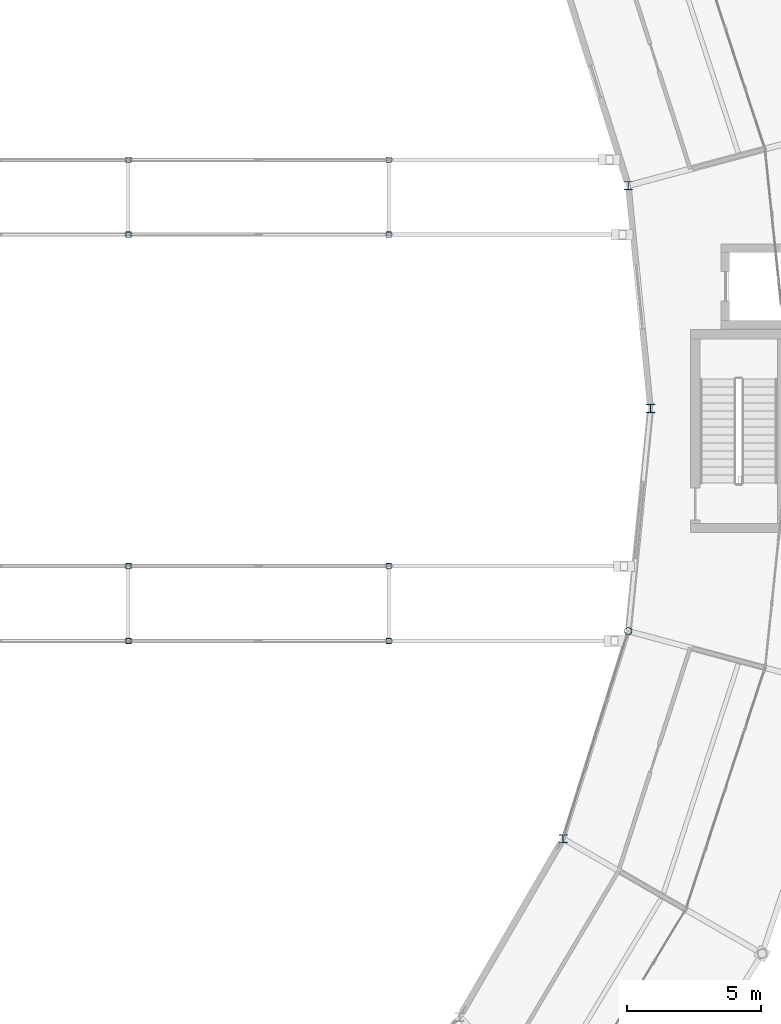
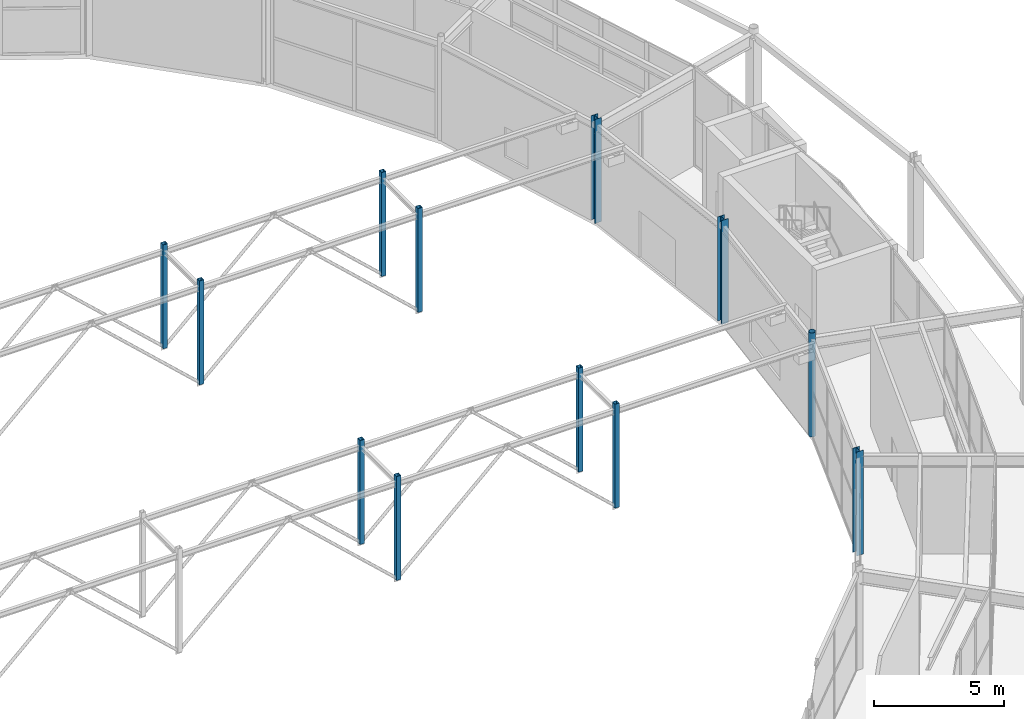
# One storey, part 9 of 144: 12 columns.
"""IFC4 building model written with IfcOpenShell, lengths in metres."""

from ifc_helpers import new_model, si_unit, direction, frame, origin, origin_2d, place, context, subcontext, project, spatial, hollow_rectangle, hollow_circle, i_section, extrude, material, material_profile, profile_set, type_object, element, save


model = new_model("IFC4")

# Units and contexts
model_context = context("Model", 3, precision=1e-05, world=origin(), true_north=direction((0.0, 1.0)))
body_context = subcontext(model_context, "Body", "Model", "MODEL_VIEW")
ifc_project = project(units=[si_unit("LENGTHUNIT", "METRE"), si_unit("AREAUNIT", "SQUARE_METRE"), si_unit("VOLUMEUNIT", "CUBIC_METRE"), si_unit("PLANEANGLEUNIT", "RADIAN"), si_unit("MASSUNIT", "GRAM", prefix="KILO")], contexts=[model_context])

# Site, building, storey
site_placement = place(None, origin())
site = spatial("IfcSite", under=ifc_project, at=site_placement, CompositionType="ELEMENT")
building_placement = place(site_placement, origin())
building = spatial("IfcBuilding", under=site, at=building_placement, Name="Karori Crest Natural Sciences Institute", CompositionType="ELEMENT")
storey_placement = place(building_placement, origin())
storey = spatial("IfcBuildingStorey", under=building, at=storey_placement, Name="L00", CompositionType="ELEMENT", Elevation=0.0)

# Columns
ifc_material_1 = material(Name="Structural steel AS/NZS 3679.1 Grade 350", Category="steel")
ifc_material_profile_1 = material_profile(ifc_material_1, i_section(OverallWidth=0.306884765625, OverallDepth=0.31494140625, WebThickness=0.011962890625, FlangeThickness=0.018798828125, FilletRadius=0.01708984375, at=origin_2d()), Name="310UC118")
ifc_profile_set_1 = profile_set([ifc_material_profile_1], Name="Structural steel AS/NZS 3679.1 Grade 350")
column_type_1 = type_object("IfcColumnType", Name="CT-05", PredefinedType="COLUMN", material=ifc_profile_set_1)
column_1_placement = place(storey_placement, frame((90.800048828125, 49.89990234375, 0.0), z_axis=(0.0, 0.0, 1.0), x_axis=(1.0, 0.0, 0.0)))
element("IfcColumn", 1, at=column_1_placement, inside=storey, type_object=column_type_1, Name="Column C-0004", PredefinedType="COLUMN", context=body_context, shape_type="SweptSolid", body=[
    extrude(i_section(OverallWidth=0.306884765625, OverallDepth=0.31494140625, WebThickness=0.011962890625, FlangeThickness=0.018798828125, FilletRadius=0.01708984375, at=origin_2d()), origin(), (0.0, 0.0, 1.0), 4.89990234375),
])
ifc_material_2 = material(Name="Hollow structural steel AS/NZS 1163 Grade C350", Category="steel")
ifc_material_profile_2 = material_profile(ifc_material_2, hollow_rectangle(XDim=0.199951171875, YDim=0.199951171875, WallThickness=0.010009765625, at=origin_2d()), Name="SHS200x200x10")
ifc_profile_set_2 = profile_set([ifc_material_profile_2], Name="Hollow structural steel AS/NZS 1163 Grade C350")
column_type_2 = type_object("IfcColumnType", Name="CT-13-EL", PredefinedType="COLUMN", material=ifc_profile_set_2)
for number, where, z_axis, x_axis, name in (
    (2, (71.27001953125, 41.199951171875, 0.0), (0.0, 0.0, 1.0), (1.0, 0.0, 0.0), "Column C-0418"),
    (3, (71.27001953125, 44.0, 0.0), (0.0, 0.0, 1.0), (1.0, 0.0, 0.0), "Column C-0423"),
    (4, (81.010009765625, 41.199951171875, 0.0), (0.0, 0.0, 1.0), (1.0, 0.0, 0.0), "Column C-0428"),
    (5, (81.010009765625, 44.0, 0.0), (0.0, 0.0, 1.0), (1.0, 0.0, 0.0), "Column C-0433"),
    (6, (71.27001953125, 56.39990234375, 0.0), (0.0, 0.0, 1.0), (1.0, 0.0, 0.0), "Column C-0454"),
    (7, (71.27001953125, 59.199951171875, 0.0), (0.0, 0.0, 1.0), (1.0, 0.0, 0.0), "Column C-0458"),
    (8, (81.010009765625, 56.39990234375, 0.0), (0.0, 0.0, 1.0), (1.0, 0.0, 0.0), "Column C-0462"),
    (9, (81.010009765625, 59.199951171875, 0.0), (0.0, 0.0, 1.0), (1.0, 0.0, 0.0), "Column C-0466"),
):
    element("IfcColumn", number, at=place(storey_placement, frame(where, z_axis=z_axis, x_axis=x_axis)), inside=storey, type_object=column_type_2, Name=name, PredefinedType="COLUMN", context=body_context, shape_type="SweptSolid", body=[
        extrude(hollow_rectangle(XDim=0.199951171875, YDim=0.199951171875, WallThickness=0.010009765625, at=origin_2d()), origin(), (0.0, 0.0, 1.0), 4.89990234375),
    ])
ifc_material_profile_3 = material_profile(ifc_material_2, hollow_circle(Radius=0.136474609375, WallThickness=0.00927734375, at=origin_2d()), Name="CHS273.0x9.3")
ifc_profile_set_3 = profile_set([ifc_material_profile_3], Name="Hollow structural steel AS/NZS 1163 Grade C350")
column_type_3 = type_object("IfcColumnType", Name="CT-16", PredefinedType="COLUMN", material=ifc_profile_set_3)
column_2_placement = place(storey_placement, frame((89.968505859375, 41.56591796875, 0.0), z_axis=(0.0, 0.0, 1.0), x_axis=(1.0, 0.0, 0.0)))
element("IfcColumn", 10, at=column_2_placement, inside=storey, type_object=column_type_3, Name="Column C-0382", PredefinedType="COLUMN", context=body_context, shape_type="SweptSolid", body=[
    extrude(hollow_circle(Radius=0.136474609375, WallThickness=0.00927734375, at=origin_2d()), origin(), (0.0, 0.0, 1.0), 4.89990234375),
])
ifc_material_profile_4 = material_profile(ifc_material_1, i_section(OverallWidth=0.304931640625, OverallDepth=0.30810546875, WebThickness=0.010009765625, FlangeThickness=0.015380859375, FilletRadius=0.01708984375, at=origin_2d()), Name="310UC96.8")
ifc_profile_set_4 = profile_set([ifc_material_profile_4], Name="Structural steel AS/NZS 3679.1 Grade 350")
column_type_4 = type_object("IfcColumnType", Name="CT-25", PredefinedType="COLUMN", material=ifc_profile_set_4)
for number, where, z_axis, x_axis, name in (
    (11, (89.968505859375, 58.23388671875, 0.0), (0.0, 0.0, 1.0), (1.0, 0.0, 0.0), "Column C-0022"),
    (12, (87.531005859375, 33.800048828125, 0.0), (0.0, 0.0, 1.0), (1.0, 0.0, 0.0), "Column C-0364"),
):
    element("IfcColumn", number, at=place(storey_placement, frame(where, z_axis=z_axis, x_axis=x_axis)), inside=storey, type_object=column_type_4, Name=name, PredefinedType="COLUMN", context=body_context, shape_type="SweptSolid", body=[
        extrude(i_section(OverallWidth=0.304931640625, OverallDepth=0.30810546875, WebThickness=0.010009765625, FlangeThickness=0.015380859375, FilletRadius=0.01708984375, at=origin_2d()), origin(), (0.0, 0.0, 1.0), 4.89990234375),
    ])

save(model, "model.ifc")
